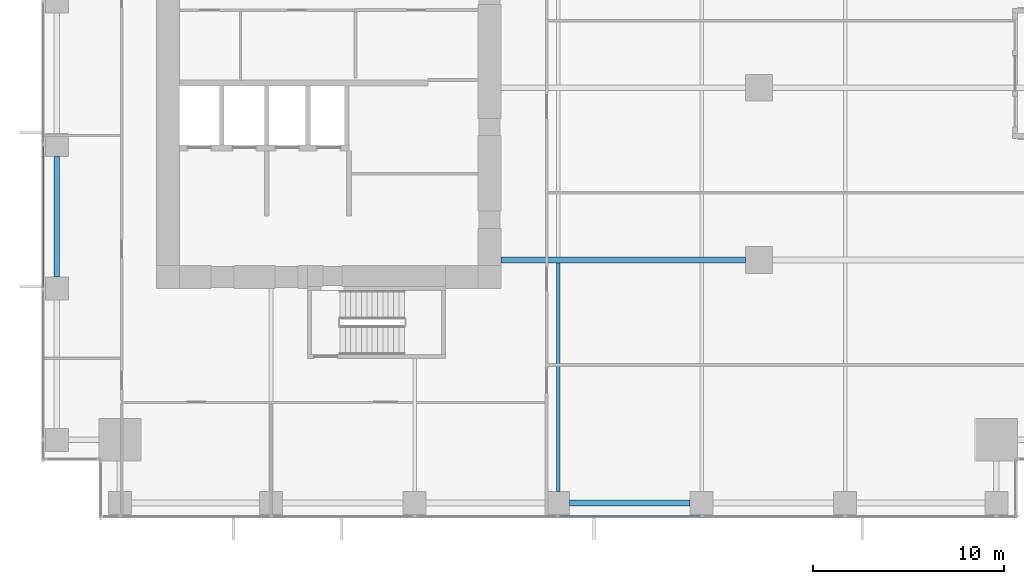
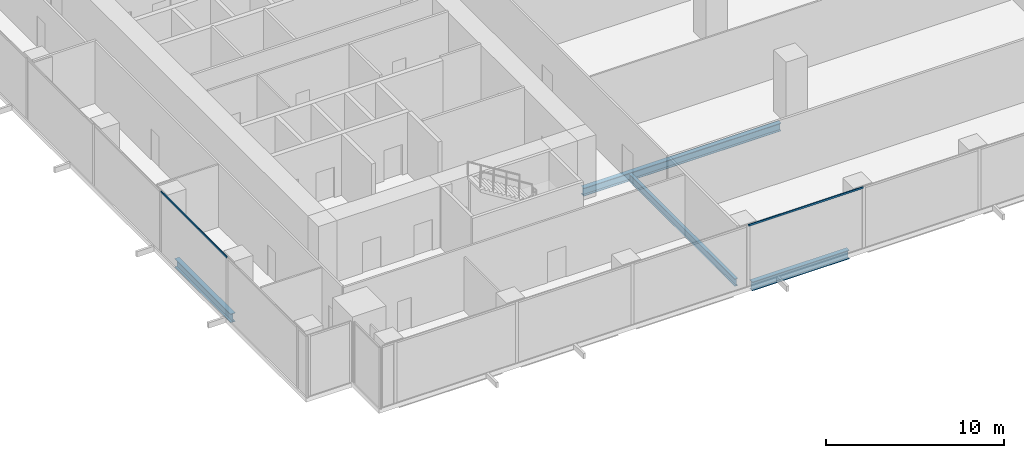
# One storey, part 4 of 32: 4 beams, 2 members, 2 elements without a shape of their own.
"""IFC4 building model written with IfcOpenShell, lengths in metres."""

from ifc_helpers import new_model, si_unit, direction, frame, origin, origin_2d, place, context, subcontext, project, spatial, hollow_rectangle, i_section, extrude, source, transform, mapped, material, material_profile, profile_set, type_object, element, aggregate, save


model = new_model("IFC4")

# Units and contexts
model_context = context("Model", 3, precision=1e-05, world=origin(), true_north=direction((0.0, 1.0)))
body_context = subcontext(model_context, "Body", "Model", "MODEL_VIEW")
ifc_project = project(units=[si_unit("LENGTHUNIT", "METRE"), si_unit("AREAUNIT", "SQUARE_METRE"), si_unit("VOLUMEUNIT", "CUBIC_METRE"), si_unit("PLANEANGLEUNIT", "RADIAN"), si_unit("MASSUNIT", "GRAM", prefix="KILO")], contexts=[model_context])

# Site, building, storey
site_placement = place(None, origin())
site = spatial("IfcSite", under=ifc_project, at=site_placement, CompositionType="ELEMENT")
building_placement = place(site_placement, origin())
building = spatial("IfcBuilding", under=site, at=building_placement, Name="Khomas Fold Tower", CompositionType="ELEMENT")
storey_placement = place(building_placement, frame((0.0, 0.0, 37.5)))
storey = spatial("IfcBuildingStorey", under=building, at=storey_placement, Name="L07", CompositionType="ELEMENT", Elevation=37.5)

# Beams
ifc_material_1 = material(Name="Steel S355", Category="steel")
ifc_material_profile_1 = material_profile(ifc_material_1, i_section(OverallWidth=0.300048828125, OverallDepth=0.550048828125, WebThickness=0.014892578125, FlangeThickness=0.029052734375, at=origin_2d()), Name="HE 550 B")
ifc_profile_set_1 = profile_set([ifc_material_profile_1], Name="Steel S355")
beam_type_1 = type_object("IfcBeamType", Name="HE 550 B beam GB4", PredefinedType="BEAM", material=ifc_profile_set_1)
shared_shape_1 = source(origin(), body_context, "Body", "SweptSolid", [
    extrude(i_section(OverallWidth=0.300048828125, OverallDepth=0.550048828125, WebThickness=0.014892578125, FlangeThickness=0.029052734375, at=origin_2d()), origin(), (0.0, 0.0, 1.0), 12.800048828125),
])
beam_1_placement = place(storey_placement, frame((24.0, 13.5, -0.574951171875), z_axis=(1.0, 0.0, 0.0), x_axis=(0.0, 1.0, 0.0)))
element("IfcBeam", 1, at=beam_1_placement, inside=storey, type_object=beam_type_1, Name="GB4", PredefinedType="BEAM", context=body_context, shape_type="MappedRepresentation", body=[
    mapped(shared_shape_1, transform((0.0, 0.0, 0.0))),
])
ifc_material_2 = material(Name="Steel S355", Category="steel")
ifc_material_profile_2 = material_profile(ifc_material_2, i_section(OverallWidth=0.300048828125, OverallDepth=0.60009765625, WebThickness=0.015380859375, FlangeThickness=0.030029296875, at=origin_2d()), Name="HE 600 B")
ifc_profile_set_2 = profile_set([ifc_material_profile_2], Name="Steel S355")
beam_type_2 = type_object("IfcBeamType", Name="HE 600 B spandrel SB1", PredefinedType="SPANDREL", material=ifc_profile_set_2)
shared_shape_2 = source(origin(), body_context, "Body", "SweptSolid", [
    extrude(i_section(OverallWidth=0.300048828125, OverallDepth=0.60009765625, WebThickness=0.015380859375, FlangeThickness=0.030029296875, at=origin_2d()), origin(), (0.0, 0.0, 1.0), 6.2998046875),
])
for number, where, z_axis, x_axis, name in (
    (2, (27.60009765625, 0.800048828125, -0.60009765625), (1.0, 0.0, 0.0), (0.0, 1.0, 0.0), "SB1"),
    (3, (0.800048828125, 12.60009765625, -0.60009765625), (0.0, 1.0, 0.0), (-1.0, 0.0, 0.0), "SB1"),
):
    element("IfcBeam", number, at=place(storey_placement, frame(where, z_axis=z_axis, x_axis=x_axis)), inside=storey, type_object=beam_type_2, Name=name, PredefinedType="SPANDREL", context=body_context, shape_type="MappedRepresentation", body=[
        mapped(shared_shape_2, transform((0.0, 0.0, 0.0))),
    ])
ifc_material_3 = material(Name="Steel S355", Category="steel")
ifc_material_profile_3 = material_profile(ifc_material_3, i_section(OverallWidth=0.199951171875, OverallDepth=0.5, WebThickness=0.01025390625, FlangeThickness=0.01611328125, at=origin_2d()), Name="IPE 500")
ifc_profile_set_3 = profile_set([ifc_material_profile_3], Name="Steel S355")
beam_type_3 = type_object("IfcBeamType", Name="IPE 500 beam JB5", PredefinedType="BEAM", material=ifc_profile_set_3)
shared_shape_3 = source(origin(), body_context, "Body", "SweptSolid", [
    extrude(i_section(OverallWidth=0.199951171875, OverallDepth=0.5, WebThickness=0.01025390625, FlangeThickness=0.01611328125, at=origin_2d()), origin(), (0.0, 0.0, 1.0), 11.9501953125),
])
beam_2_placement = place(storey_placement, frame((27.0, 1.39990234375, -0.550048828125), z_axis=(0.0, 1.0, 0.0), x_axis=(-1.0, 0.0, 0.0)))
element("IfcBeam", 4, at=beam_2_placement, inside=storey, type_object=beam_type_3, Name="JB5", PredefinedType="BEAM", context=body_context, shape_type="MappedRepresentation", body=[
    mapped(shared_shape_3, transform((0.0, 0.0, 0.0))),
])

# Curtain wall, member
ifc_material_4 = material(Name="Aluminium framed double glazing", Category="aluminium")
curtain_wall_type = type_object("IfcCurtainWallType", Name="SK-Unitised clear-glass wall, growing floors CW1", PredefinedType="NOTDEFINED", material=ifc_material_4)
curtain_wall_1_placement = place(storey_placement, origin())
curtain_wall_1 = element("IfcCurtainWall", 5, at=curtain_wall_1_placement, inside=storey, type_object=curtain_wall_type, Name="CW1 run L07 00-0", PredefinedType="NOTDEFINED")
ifc_material_5 = material(Name="Aluminium", Category="aluminium")
ifc_material_profile_4 = material_profile(ifc_material_5, hollow_rectangle(XDim=0.06005859375, YDim=0.1201171875, WallThickness=0.00390625, at=origin_2d()), Name="SK-Unitised clear-glass wall, growing floors transom CW1-T")
ifc_profile_set_4 = profile_set([ifc_material_profile_4], Name="Aluminium")
member_type = type_object("IfcMemberType", Name="SK-Unitised clear-glass wall, growing floors transom CW1-T", PredefinedType="USERDEFINED", material=ifc_profile_set_4)
shared_shape_4 = source(origin(), body_context, "Body", "SweptSolid", [
    extrude(hollow_rectangle(XDim=0.06005859375, YDim=0.1201171875, WallThickness=0.00390625, at=origin_2d()), origin(), (0.0, 0.0, 1.0), 7.43994140625),
])
member_1_placement = place(storey_placement, frame((27.030029296875, 0.10009765625, 4.139892578125), z_axis=(1.0, 0.0, 0.0), x_axis=(0.0, 1.0, 0.0)))
member_1 = element("IfcMember", 6, at=member_1_placement, type_object=member_type, Name="CW1 transom 5", ObjectType="TRANSOM", PredefinedType="USERDEFINED", context=body_context, shape_type="MappedRepresentation", body=[
    mapped(shared_shape_4, transform((0.0, 0.0, 0.0))),
])
aggregate(curtain_wall_1, [member_1])

curtain_wall_2_placement = place(storey_placement, origin())
curtain_wall_2 = element("IfcCurtainWall", 7, at=curtain_wall_2_placement, inside=storey, type_object=curtain_wall_type, Name="CW1 run L07 09-0", PredefinedType="NOTDEFINED")
member_2_placement = place(storey_placement, frame((0.10009765625, 19.469970703125, 4.139892578125), z_axis=(0.0, -1.0, 0.0), x_axis=(1.0, 0.0, 0.0)))
member_2 = element("IfcMember", 8, at=member_2_placement, type_object=member_type, Name="CW1 transom 6", ObjectType="TRANSOM", PredefinedType="USERDEFINED", context=body_context, shape_type="MappedRepresentation", body=[
    mapped(shared_shape_4, transform((0.0, 0.0, 0.0))),
])
aggregate(curtain_wall_2, [member_2])

save(model, "model.ifc")
